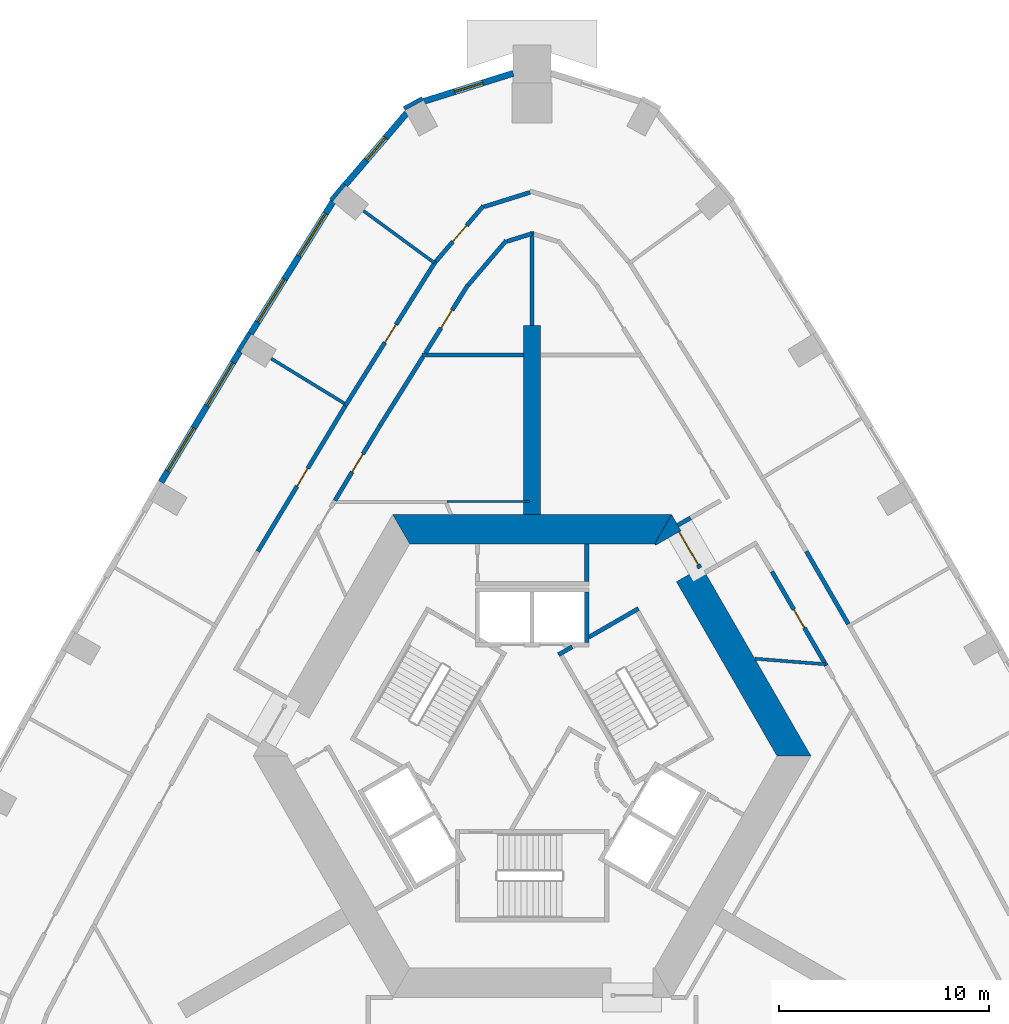
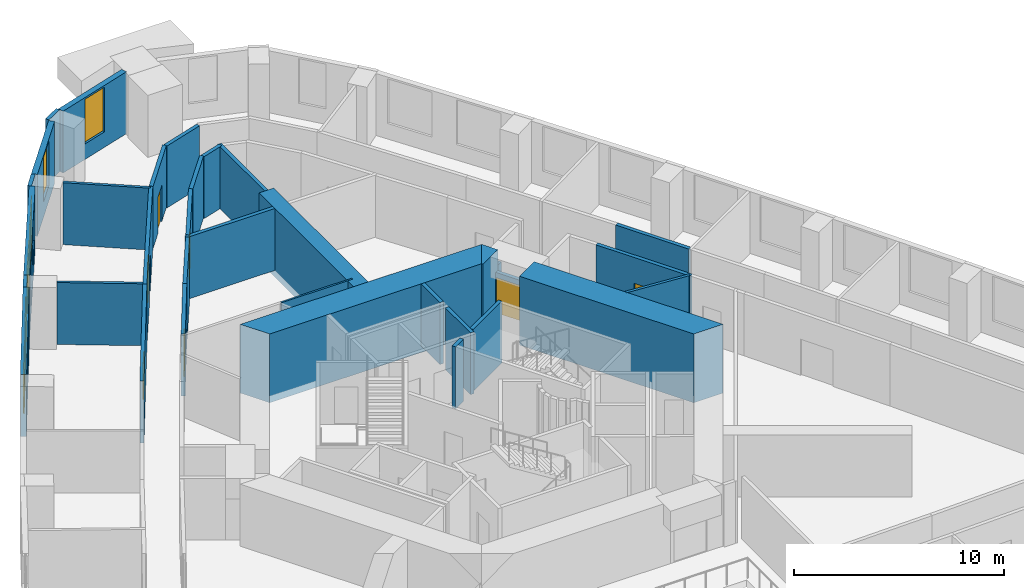
# One storey, part 8 of 13: 34 walls, 7 doors, 6 windows, 13 openings.
"""IFC4 building model written with IfcOpenShell, lengths in metres."""

from ifc_helpers import new_model, si_unit, direction, frame, frame_2d, origin, place, context, subcontext, project, spatial, polyline, rectangle, outline, extrude, material, layer, layer_set, type_object, element, fill, save


model = new_model("IFC4")

# Units and contexts
model_context = context("Model", 3, precision=1e-05, world=origin(), true_north=direction((0.0, 1.0)))
body_context = subcontext(model_context, "Body", "Model", "MODEL_VIEW")
ifc_project = project(units=[si_unit("LENGTHUNIT", "METRE"), si_unit("AREAUNIT", "SQUARE_METRE"), si_unit("VOLUMEUNIT", "CUBIC_METRE"), si_unit("PLANEANGLEUNIT", "RADIAN"), si_unit("MASSUNIT", "GRAM", prefix="KILO")], contexts=[model_context])

# Site, building, storey
site_placement = place(None, origin())
site = spatial("IfcSite", under=ifc_project, at=site_placement, CompositionType="ELEMENT")
building_placement = place(site_placement, origin())
building = spatial("IfcBuilding", under=site, at=building_placement, Name="Entoto Arch Interchange Tower", CompositionType="ELEMENT")
storey_placement = place(building_placement, frame((0.0, 0.0, 231.800048828125)))
storey = spatial("IfcBuildingStorey", under=building, at=storey_placement, Name="L52", CompositionType="ELEMENT", Elevation=231.800048828125)

# Wall
ifc_material_1 = material(Name="Concrete C50/60", Category="concrete")
ifc_layer_1 = layer(ifc_material_1, 0.800048828125)
ifc_layer_set_1 = layer_set([ifc_layer_1], Name="Concrete C50/60")
wall_type_1 = type_object("IfcWallType", Name="Buttress wall 800 C50/60", PredefinedType="SHEAR", material=ifc_layer_set_1)
wall_1_placement = place(storey_placement, frame((0.0, 14.0, -0.400146484375), z_axis=(0.0, 0.0, 1.0), x_axis=(0.0, 1.0, 0.0)))
element("IfcWall", 1, at=wall_1_placement, inside=storey, type_object=wall_type_1, Name="Buttress wall N L52", PredefinedType="SHEAR", context=body_context, shape_type="SweptSolid", body=[
    extrude(rectangle(XDim=9.0, YDim=0.800048828125, at=frame_2d((4.5, 0.0))), origin(), (0.0, 0.0, 1.0), 4.0),
])

# Wall, opening, door
ifc_material_2 = material(Name="Reinforced concrete C40/50", Category="concrete")
ifc_layer_2 = layer(ifc_material_2, 0.199951171875)
ifc_layer_set_2 = layer_set([ifc_layer_2], Name="Reinforced concrete C40/50")
wall_type_2 = type_object("IfcWallType", Name="CORE GAP INFILL WALL", PredefinedType="PARTITIONING", material=ifc_layer_set_2)
wall_2_placement = place(storey_placement, frame((7.9970703125, 11.447998046875, 0.0), z_axis=(0.0, 0.0, 1.0), x_axis=(-0.50002537861, 0.866010750942, 0.0)))
wall_2 = element("IfcWall", 2, at=wall_2_placement, inside=storey, type_object=wall_type_2, Name="wall:L52:gap2", PredefinedType="PARTITIONING", context=body_context, shape_type="SweptSolid", body=[
    extrude(rectangle(XDim=2.0, YDim=0.199951171875, at=frame_2d((1.0, 0.0))), origin(), (0.0, 0.0, 1.0), 2.39990234375),
])
opening_1_placement = place(wall_2_placement, frame((0.18994140625, 0.0, 0.0)))
opening_1 = element("IfcOpeningElement", 3, at=opening_1_placement, cuts=wall_2, Name="Opening L52-D92", PredefinedType="OPENING", context=body_context, shape_type="SweptSolid", body=[
    extrude(rectangle(XDim=1.800048828125, YDim=2.10009765625, at=frame_2d((0.89990234375, 1.050048828125))), frame((0.0, 0.10986328125, 0.0), z_axis=(0.0, -1.0, 0.0), x_axis=(1.0, 0.0, 0.0)), (0.0, 0.0, 1.0), 0.219970703125),
])
ifc_material_3 = material(Name="Fire-rated Steel S235 door and frame", Category="steel")
door_type_1 = type_object("IfcDoorType", Name="DOOR FD-18 1800x2100", OperationType="DOUBLE_DOOR_SINGLE_SWING", PredefinedType="DOOR", material=ifc_material_3)
door_1_placement = place(opening_1_placement, origin())
door_1 = element("IfcDoor", 4, at=door_1_placement, inside=storey, type_object=door_type_1, Name="door:L52:gap2", OperationType="DOUBLE_DOOR_SINGLE_SWING", OverallHeight=2.10009765625, OverallWidth=1.800048828125, PredefinedType="DOOR", context=body_context, shape_type="SweptSolid", body=[
    extrude(rectangle(XDim=1.800048828125, YDim=2.10009765625, at=frame_2d((0.89990234375, 1.050048828125))), frame((0.0, 0.02490234375, 0.0), z_axis=(0.0, -1.0, 0.0), x_axis=(1.0, 0.0, 0.0)), (0.0, 0.0, 1.0), 0.050048828125),
])
fill(opening_1, door_1)

# Walls
ifc_layer_3 = layer(ifc_material_1, 1.39990234375)
ifc_layer_set_3 = layer_set([ifc_layer_3], Name="Concrete C50/60")
wall_type_3 = type_object("IfcWallType", Name="Core wall 1400 C50/60", PredefinedType="SHEAR", material=ifc_layer_set_3)
wall_3_placement = place(storey_placement, frame((0.0, 0.0, -0.400146484375)))
element("IfcWall", 5, at=wall_3_placement, inside=storey, type_object=wall_type_3, Name="Core wall NE L52", PredefinedType="SHEAR", context=body_context, shape_type="SweptSolid", body=[
    extrude(outline(polyline([(8.083984375, 11.498046875), (6.87109375, 10.798095703125), (11.662109375, 2.5), (13.279052734375, 2.5), (8.083984375, 11.498046875)])), origin(), (0.0, 0.0, 1.0), 4.0),
])
wall_4_placement = place(storey_placement, frame((0.0, 0.0, -0.400146484375)))
element("IfcWall", 6, at=wall_4_placement, inside=storey, type_object=wall_type_3, Name="Core wall NE L52", PredefinedType="SHEAR", context=body_context, shape_type="SweptSolid", body=[
    extrude(outline(polyline([(5.87109375, 12.530029296875), (7.083984375, 13.22998046875), (6.639892578125, 14.0), (5.8310546875, 12.60009765625), (5.87109375, 12.530029296875)])), origin(), (0.0, 0.0, 1.0), 4.0),
])
wall_5_placement = place(storey_placement, frame((0.0, 0.0, -0.400146484375)))
element("IfcWall", 7, at=wall_5_placement, inside=storey, type_object=wall_type_3, Name="Core wall N L52", PredefinedType="SHEAR", context=body_context, shape_type="SweptSolid", body=[
    extrude(outline(polyline([(6.639892578125, 14.0), (-6.639892578125, 14.0), (-5.8310546875, 12.60009765625), (5.8310546875, 12.60009765625), (6.639892578125, 14.0)])), origin(), (0.0, 0.0, 1.0), 4.0),
])
ifc_material_4 = material(Name="Concrete C40/50", Category="concrete")
ifc_layer_4 = layer(ifc_material_4, 0.199951171875)
ifc_layer_set_4 = layer_set([ifc_layer_4], Name="Concrete C40/50")
wall_type_4 = type_object("IfcWallType", Name="LIFT SHAFT WALL 200", PredefinedType="STANDARD", material=ifc_layer_set_4)
wall_6_placement = place(storey_placement, frame((2.60009765625, 7.89990234375, 0.0), z_axis=(0.0, 0.0, 1.0), x_axis=(0.0, 1.0, 0.0)))
element("IfcWall", 8, at=wall_6_placement, inside=storey, type_object=wall_type_4, Name="Shaft wall N1 cross 1", PredefinedType="STANDARD", context=body_context, shape_type="SweptSolid", body=[
    extrude(rectangle(XDim=2.400146484375, YDim=0.199951171875, at=frame_2d((1.2001953125, 0.0))), origin(), (0.0, 0.0, 1.0), 3.599853515625),
])
ifc_material_5 = material(Name="Gypsum board partition on steel studs", Category="steel")
ifc_layer_5 = layer(ifc_material_5, 0.10009765625)
ifc_layer_set_5 = layer_set([ifc_layer_5], Name="Gypsum board partition on steel studs")
wall_type_5 = type_object("IfcWallType", Name="PARTITION 100", PredefinedType="PARTITIONING", material=ifc_layer_set_5)
wall_7_placement = place(storey_placement, frame((-4.047119140625, 14.612060546875, 0.0), z_axis=(0.0, 0.0, 1.0), x_axis=(1.0, 0.0, 0.0)))
element("IfcWall", 9, at=wall_7_placement, inside=storey, type_object=wall_type_5, Name="wall:L52:p104", PredefinedType="PARTITIONING", context=body_context, shape_type="SweptSolid", body=[
    extrude(rectangle(XDim=3.924072265625, YDim=0.10009765625, at=frame_2d((1.9619140625, 0.0))), origin(), (0.0, 0.0, 1.0), 3.599853515625),
])
ifc_layer_6 = layer(ifc_material_5, 0.14990234375)
ifc_layer_set_6 = layer_set([ifc_layer_6], Name="Gypsum board partition on steel studs")
wall_type_6 = type_object("IfcWallType", Name="PARTITION 150", PredefinedType="PARTITIONING", material=ifc_layer_set_6)
wall_8_placement = place(storey_placement, frame((10.60400390625, 7.135009765625, 0.0), z_axis=(0.0, 0.0, 1.0), x_axis=(0.996887536909, -0.07883678555, 0.0)))
element("IfcWall", 10, at=wall_8_placement, inside=storey, type_object=wall_type_6, Name="wall:L52:p083", PredefinedType="PARTITIONING", context=body_context, shape_type="SweptSolid", body=[
    extrude(rectangle(XDim=3.37548828125, YDim=0.14990234375, at=frame_2d((1.687744140625, 0.0))), origin(), (0.0, 0.0, 1.0), 3.599853515625),
])
wall_9_placement = place(storey_placement, frame((-4.64599609375, 25.97607421875, 0.0), z_axis=(0.0, 0.0, 1.0), x_axis=(-0.806134630684, 0.591732166788, 0.0)))
element("IfcWall", 11, at=wall_9_placement, inside=storey, type_object=wall_type_6, Name="wall:L52:p121", PredefinedType="PARTITIONING", context=body_context, shape_type="SweptSolid", body=[
    extrude(rectangle(XDim=4.192626953125, YDim=0.14990234375, at=frame_2d((2.09619140625, 0.0))), origin(), (0.0, 0.0, 1.0), 3.599853515625),
])
wall_10_placement = place(storey_placement, frame((-8.94189453125, 19.2919921875, 0.0), z_axis=(0.0, 0.0, 1.0), x_axis=(-0.85273109234, 0.522350154739, 0.0)))
element("IfcWall", 12, at=wall_10_placement, inside=storey, type_object=wall_type_6, Name="wall:L52:p122", PredefinedType="PARTITIONING", context=body_context, shape_type="SweptSolid", body=[
    extrude(rectangle(XDim=4.079833984375, YDim=0.14990234375, at=frame_2d((2.0400390625, 0.0))), origin(), (0.0, 0.0, 1.0), 3.599853515625),
])

# Wall, opening, door
ifc_layer_7 = layer(ifc_material_5, 0.199951171875)
ifc_layer_set_7 = layer_set([ifc_layer_7], Name="Gypsum board partition on steel studs")
wall_type_7 = type_object("IfcWallType", Name="PARTITION 200", PredefinedType="PARTITIONING", material=ifc_layer_set_7)
wall_11_placement = place(storey_placement, frame((14.006103515625, 6.803955078125, 0.0), z_axis=(0.0, 0.0, 1.0), x_axis=(-0.500032993936, 0.866006353889, 0.0)))
wall_11 = element("IfcWall", 13, at=wall_11_placement, inside=storey, type_object=wall_type_7, Name="wall:L52:p006", PredefinedType="PARTITIONING", context=body_context, shape_type="SweptSolid", body=[
    extrude(rectangle(XDim=5.172119140625, YDim=0.199951171875, at=frame_2d((2.5859375, 0.0))), origin(), (0.0, 0.0, 1.0), 3.599853515625),
])
opening_2_placement = place(wall_11_placement, frame((2.0859375, 0.0, 0.0)))
opening_2 = element("IfcOpeningElement", 14, at=opening_2_placement, cuts=wall_11, Name="Opening L52-D26", PredefinedType="OPENING", context=body_context, shape_type="SweptSolid", body=[
    extrude(rectangle(XDim=1.0, YDim=2.10009765625, at=frame_2d((0.5, 1.050048828125))), frame((0.0, 0.10986328125, 0.0), z_axis=(0.0, -1.0, 0.0), x_axis=(1.0, 0.0, 0.0)), (0.0, 0.0, 1.0), 0.219970703125),
])
ifc_material_6 = material(Name="Timber door leaf in Steel S235 frame", Category="steel")
door_type_2 = type_object("IfcDoorType", Name="DOOR DS-10 1000x2100", OperationType="SINGLE_SWING_LEFT", PredefinedType="DOOR", material=ifc_material_6)
door_2_placement = place(opening_2_placement, origin())
door_2 = element("IfcDoor", 15, at=door_2_placement, inside=storey, type_object=door_type_2, Name="door:L52:26", OperationType="SINGLE_SWING_LEFT", OverallHeight=2.10009765625, OverallWidth=1.0, PredefinedType="DOOR", context=body_context, shape_type="SweptSolid", body=[
    extrude(rectangle(XDim=1.0, YDim=2.10009765625, at=frame_2d((0.5, 1.050048828125))), frame((0.0, 0.02490234375, 0.0), z_axis=(0.0, -1.0, 0.0), x_axis=(1.0, 0.0, 0.0)), (0.0, 0.0, 1.0), 0.050048828125),
])
fill(opening_2, door_2)

# Walls
wall_12_placement = place(storey_placement, frame((6.93505859375, 13.488037109375, 0.0), z_axis=(0.0, 0.0, 1.0), x_axis=(0.866022890907, 0.500004352405, 0.0)))
element("IfcWall", 16, at=wall_12_placement, inside=storey, type_object=wall_type_7, Name="wall:L52:p009", PredefinedType="PARTITIONING", context=body_context, shape_type="SweptSolid", body=[
    extrude(rectangle(XDim=0.69970703125, YDim=0.199951171875, at=frame_2d((0.349853515625, 0.0))), origin(), (0.0, 0.0, 1.0), 2.39990234375),
])
wall_13_placement = place(storey_placement, frame((-5.193115234375, 21.514892578125, 0.0), z_axis=(0.0, 0.0, 1.0), x_axis=(-0.530175390862, -0.847887996686, 0.0)))
element("IfcWall", 17, at=wall_13_placement, inside=storey, type_object=wall_type_7, Name="wall:L52:p012", PredefinedType="PARTITIONING", context=body_context, shape_type="SweptSolid", body=[
    extrude(rectangle(XDim=3.855224609375, YDim=0.199951171875, at=frame_2d((1.927734375, 0.0))), origin(), (0.0, 0.0, 1.0), 3.599853515625),
])

# Wall, opening, door
wall_14_placement = place(storey_placement, frame((-7.237060546875, 18.24609375, 0.0), z_axis=(0.0, 0.0, 1.0), x_axis=(-0.514959644878, -0.857214421336, 0.0)))
wall_14 = element("IfcWall", 18, at=wall_14_placement, inside=storey, type_object=wall_type_7, Name="wall:L52:p013", PredefinedType="PARTITIONING", context=body_context, shape_type="SweptSolid", body=[
    extrude(rectangle(XDim=4.1787109375, YDim=0.199951171875, at=frame_2d((2.08935546875, 0.0))), origin(), (0.0, 0.0, 1.0), 3.599853515625),
])
opening_3_placement = place(wall_14_placement, frame((1.589111328125, 0.0, 0.0)))
opening_3 = element("IfcOpeningElement", 19, at=opening_3_placement, cuts=wall_14, Name="Opening L52-D17", PredefinedType="OPENING", context=body_context, shape_type="SweptSolid", body=[
    extrude(rectangle(XDim=1.0, YDim=2.10009765625, at=frame_2d((0.5, 1.050048828125))), frame((0.0, 0.10986328125, 0.0), z_axis=(0.0, -1.0, 0.0), x_axis=(1.0, 0.0, 0.0)), (0.0, 0.0, 1.0), 0.219970703125),
])
door_3_placement = place(opening_3_placement, origin())
door_3 = element("IfcDoor", 20, at=door_3_placement, inside=storey, type_object=door_type_2, Name="door:L52:17", OperationType="SINGLE_SWING_LEFT", OverallHeight=2.10009765625, OverallWidth=1.0, PredefinedType="DOOR", context=body_context, shape_type="SweptSolid", body=[
    extrude(rectangle(XDim=1.0, YDim=2.10009765625, at=frame_2d((0.5, 1.050048828125))), frame((0.0, 0.02490234375, 0.0), z_axis=(0.0, -1.0, 0.0), x_axis=(1.0, 0.0, 0.0)), (0.0, 0.0, 1.0), 0.050048828125),
])
fill(opening_3, door_3)

# Walls
wall_15_placement = place(storey_placement, frame((0.0, 27.37890625, 0.0), z_axis=(0.0, 0.0, 1.0), x_axis=(-0.954198830916, -0.299173179075, 0.0)))
element("IfcWall", 21, at=wall_15_placement, inside=storey, type_object=wall_type_7, Name="wall:L52:p017", PredefinedType="PARTITIONING", context=body_context, shape_type="SweptSolid", body=[
    extrude(rectangle(XDim=1.25341796875, YDim=0.199951171875, at=frame_2d((0.626708984375, 0.0))), origin(), (0.0, 0.0, 1.0), 3.599853515625),
])
wall_16_placement = place(storey_placement, frame((-1.22705078125, 27.050048828125, 0.0), z_axis=(0.0, 0.0, 1.0), x_axis=(-0.650057725157, -0.759884829407, 0.0)))
element("IfcWall", 22, at=wall_16_placement, inside=storey, type_object=wall_type_7, Name="wall:L52:p018", PredefinedType="PARTITIONING", context=body_context, shape_type="SweptSolid", body=[
    extrude(rectangle(XDim=2.79638671875, YDim=0.199951171875, at=frame_2d((1.398193359375, 0.0))), origin(), (0.0, 0.0, 1.0), 3.599853515625),
])

# Wall, opening, door
wall_17_placement = place(storey_placement, frame((-3.056884765625, 24.93310546875, 0.0), z_axis=(0.0, 0.0, 1.0), x_axis=(-0.529998940003, -0.847998304005, 0.0)))
wall_17 = element("IfcWall", 23, at=wall_17_placement, inside=storey, type_object=wall_type_7, Name="wall:L52:p019", PredefinedType="PARTITIONING", context=body_context, shape_type="SweptSolid", body=[
    extrude(rectangle(XDim=3.830322265625, YDim=0.199951171875, at=frame_2d((1.9150390625, 0.0))), origin(), (0.0, 0.0, 1.0), 3.599853515625),
])
opening_4_placement = place(wall_17_placement, frame((1.416015625, 0.0, 0.0)))
opening_4 = element("IfcOpeningElement", 24, at=opening_4_placement, cuts=wall_17, Name="Opening L52-D19", PredefinedType="OPENING", context=body_context, shape_type="SweptSolid", body=[
    extrude(rectangle(XDim=1.0, YDim=2.10009765625, at=frame_2d((0.5, 1.050048828125))), frame((0.0, 0.10986328125, 0.0), z_axis=(0.0, -1.0, 0.0), x_axis=(1.0, 0.0, 0.0)), (0.0, 0.0, 1.0), 0.219970703125),
])
door_4_placement = place(opening_4_placement, origin())
door_4 = element("IfcDoor", 25, at=door_4_placement, inside=storey, type_object=door_type_2, Name="door:L52:19", OperationType="SINGLE_SWING_LEFT", OverallHeight=2.10009765625, OverallWidth=1.0, PredefinedType="DOOR", context=body_context, shape_type="SweptSolid", body=[
    extrude(rectangle(XDim=1.0, YDim=2.10009765625, at=frame_2d((0.5, 1.050048828125))), frame((0.0, 0.02490234375, 0.0), z_axis=(0.0, -1.0, 0.0), x_axis=(1.0, 0.0, 0.0)), (0.0, 0.0, 1.0), 0.050048828125),
])
fill(opening_4, door_4)

# Wall
wall_18_placement = place(storey_placement, frame((13.056884765625, 12.2470703125, 0.0), z_axis=(0.0, 0.0, 1.0), x_axis=(0.500093699572, -0.865971299552, 0.0)))
element("IfcWall", 26, at=wall_18_placement, inside=storey, type_object=wall_type_7, Name="wall:L52:p051", PredefinedType="PARTITIONING", context=body_context, shape_type="SweptSolid", body=[
    extrude(rectangle(XDim=4.003662109375, YDim=0.199951171875, at=frame_2d((2.001953125, 0.0))), origin(), (0.0, 0.0, 1.0), 3.599853515625),
])

# Wall, opening, door
wall_19_placement = place(storey_placement, frame((-4.5810546875, 26.052001953125, 0.0), z_axis=(0.0, 0.0, 1.0), x_axis=(0.650040973726, 0.759899159413, 0.0)))
wall_19 = element("IfcWall", 27, at=wall_19_placement, inside=storey, type_object=wall_type_7, Name="wall:L52:p054", PredefinedType="PARTITIONING", context=body_context, shape_type="SweptSolid", body=[
    extrude(rectangle(XDim=3.484619140625, YDim=0.199951171875, at=frame_2d((1.7421875, 0.0))), origin(), (0.0, 0.0, 1.0), 3.599853515625),
])
opening_5_placement = place(wall_19_placement, frame((1.242919921875, 0.0, 0.0)))
opening_5 = element("IfcOpeningElement", 28, at=opening_5_placement, cuts=wall_19, Name="Opening L52-D08", PredefinedType="OPENING", context=body_context, shape_type="SweptSolid", body=[
    extrude(rectangle(XDim=1.0, YDim=2.10009765625, at=frame_2d((0.5, 1.050048828125))), frame((0.0, 0.10986328125, 0.0), z_axis=(0.0, -1.0, 0.0), x_axis=(1.0, 0.0, 0.0)), (0.0, 0.0, 1.0), 0.219970703125),
])
door_5_placement = place(opening_5_placement, origin())
door_5 = element("IfcDoor", 29, at=door_5_placement, inside=storey, type_object=door_type_2, Name="door:L52:08", OperationType="SINGLE_SWING_LEFT", OverallHeight=2.10009765625, OverallWidth=1.0, PredefinedType="DOOR", context=body_context, shape_type="SweptSolid", body=[
    extrude(rectangle(XDim=1.0, YDim=2.10009765625, at=frame_2d((0.5, 1.050048828125))), frame((0.0, 0.02490234375, 0.0), z_axis=(0.0, -1.0, 0.0), x_axis=(1.0, 0.0, 0.0)), (0.0, 0.0, 1.0), 0.050048828125),
])
fill(opening_5, door_5)

# Wall
wall_20_placement = place(storey_placement, frame((-2.284912109375, 28.654052734375, 0.0), z_axis=(0.0, 0.0, 1.0), x_axis=(0.954271519007, 0.298941245085, 0.0)))
element("IfcWall", 30, at=wall_20_placement, inside=storey, type_object=wall_type_7, Name="wall:L52:p055", PredefinedType="PARTITIONING", context=body_context, shape_type="SweptSolid", body=[
    extrude(rectangle(XDim=2.294921875, YDim=0.199951171875, at=frame_2d((1.1474609375, 0.0))), origin(), (0.0, 0.0, 1.0), 3.599853515625),
])

# Wall, opening, door
wall_21_placement = place(storey_placement, frame((-8.89599609375, 19.176025390625, 0.0), z_axis=(0.0, 0.0, 1.0), x_axis=(0.529985425286, 0.848006750553, 0.0)))
wall_21 = element("IfcWall", 31, at=wall_21_placement, inside=storey, type_object=wall_type_7, Name="wall:L52:p058", PredefinedType="PARTITIONING", context=body_context, shape_type="SweptSolid", body=[
    extrude(rectangle(XDim=8.119140625, YDim=0.199951171875, at=frame_2d((4.0595703125, 0.0))), origin(), (0.0, 0.0, 1.0), 3.599853515625),
])
opening_6_placement = place(wall_21_placement, frame((3.56005859375, 0.0, 0.0)))
opening_6 = element("IfcOpeningElement", 32, at=opening_6_placement, cuts=wall_21, Name="Opening L52-D09", PredefinedType="OPENING", context=body_context, shape_type="SweptSolid", body=[
    extrude(rectangle(XDim=1.0, YDim=2.10009765625, at=frame_2d((0.5, 1.050048828125))), frame((0.0, 0.10986328125, 0.0), z_axis=(0.0, -1.0, 0.0), x_axis=(1.0, 0.0, 0.0)), (0.0, 0.0, 1.0), 0.219970703125),
])
door_6_placement = place(opening_6_placement, origin())
door_6 = element("IfcDoor", 33, at=door_6_placement, inside=storey, type_object=door_type_2, Name="door:L52:09", OperationType="SINGLE_SWING_LEFT", OverallHeight=2.10009765625, OverallWidth=1.0, PredefinedType="DOOR", context=body_context, shape_type="SweptSolid", body=[
    extrude(rectangle(XDim=1.0, YDim=2.10009765625, at=frame_2d((0.5, 1.050048828125))), frame((0.0, 0.02490234375, 0.0), z_axis=(0.0, -1.0, 0.0), x_axis=(1.0, 0.0, 0.0)), (0.0, 0.0, 1.0), 0.050048828125),
])
fill(opening_6, door_6)

wall_22_placement = place(storey_placement, frame((-13.056884765625, 12.2470703125, 0.0), z_axis=(0.0, 0.0, 1.0), x_axis=(0.51490435266, 0.857247634941, 0.0)))
wall_22 = element("IfcWall", 34, at=wall_22_placement, inside=storey, type_object=wall_type_7, Name="wall:L52:p060", PredefinedType="PARTITIONING", context=body_context, shape_type="SweptSolid", body=[
    extrude(rectangle(XDim=8.082763671875, YDim=0.199951171875, at=frame_2d((4.04150390625, 0.0))), origin(), (0.0, 0.0, 1.0), 3.599853515625),
])
opening_7_placement = place(wall_22_placement, frame((3.615966796875, 0.0, 0.0)))
opening_7 = element("IfcOpeningElement", 35, at=opening_7_placement, cuts=wall_22, Name="Opening L52-D10", PredefinedType="OPENING", context=body_context, shape_type="SweptSolid", body=[
    extrude(rectangle(XDim=1.0, YDim=2.10009765625, at=frame_2d((0.5, 1.050048828125))), frame((0.0, 0.10986328125, 0.0), z_axis=(0.0, -1.0, 0.0), x_axis=(1.0, 0.0, 0.0)), (0.0, 0.0, 1.0), 0.219970703125),
])
door_7_placement = place(opening_7_placement, origin())
door_7 = element("IfcDoor", 36, at=door_7_placement, inside=storey, type_object=door_type_2, Name="door:L52:10", OperationType="SINGLE_SWING_RIGHT", OverallHeight=2.10009765625, OverallWidth=1.0, PredefinedType="DOOR", context=body_context, shape_type="SweptSolid", body=[
    extrude(rectangle(XDim=1.0, YDim=2.10009765625, at=frame_2d((0.5, 1.050048828125))), frame((0.0, 0.02490234375, 0.0), z_axis=(0.0, -1.0, 0.0), x_axis=(1.0, 0.0, 0.0)), (0.0, 0.0, 1.0), 0.050048828125),
])
fill(opening_7, door_7)

# Walls
wall_23_placement = place(storey_placement, frame((2.60009765625, 12.60009765625, 0.0), z_axis=(0.0, 0.0, 1.0), x_axis=(0.0, -1.0, 0.0)))
element("IfcWall", 37, at=wall_23_placement, inside=storey, type_object=wall_type_7, Name="wall:L52:p072", PredefinedType="PARTITIONING", context=body_context, shape_type="SweptSolid", body=[
    extrude(rectangle(XDim=1.800048828125, YDim=0.199951171875, at=frame_2d((0.89990234375, 0.0))), origin(), (0.0, 0.0, 1.0), 3.599853515625),
])
wall_24_placement = place(storey_placement, frame((-5.239990234375, 21.60009765625, 0.0), z_axis=(0.0, 0.0, 1.0), x_axis=(1.0, 0.0, 0.0)))
element("IfcWall", 38, at=wall_24_placement, inside=storey, type_object=wall_type_7, Name="wall:L52:p107", PredefinedType="PARTITIONING", context=body_context, shape_type="SweptSolid", body=[
    extrude(rectangle(XDim=4.840087890625, YDim=0.199951171875, at=frame_2d((2.419921875, 0.0))), origin(), (0.0, 0.0, 1.0), 3.599853515625),
])
wall_25_placement = place(storey_placement, frame((0.0, 23.0, 0.0), z_axis=(0.0, 0.0, 1.0), x_axis=(0.0, 1.0, 0.0)))
element("IfcWall", 39, at=wall_25_placement, inside=storey, type_object=wall_type_7, Name="wall:L52:p108", PredefinedType="PARTITIONING", context=body_context, shape_type="SweptSolid", body=[
    extrude(rectangle(XDim=4.47900390625, YDim=0.199951171875, at=frame_2d((2.239501953125, 0.0))), origin(), (0.0, 0.0, 1.0), 3.599853515625),
])
ifc_layer_8 = layer(ifc_material_4, 0.199951171875)
ifc_layer_set_8 = layer_set([ifc_layer_8], Name="Concrete C40/50")
wall_type_8 = type_object("IfcWallType", Name="STAIR ENCLOSURE WALL 200", PredefinedType="STANDARD", material=ifc_layer_set_8)
wall_26_placement = place(storey_placement, frame((2.699951171875, 8.157958984375, 0.0), z_axis=(0.0, 0.0, 1.0), x_axis=(0.86611865017, 0.499838457731, 0.0)))
element("IfcWall", 40, at=wall_26_placement, inside=storey, type_object=wall_type_8, Name="Stair wall ST-NE far", PredefinedType="STANDARD", context=body_context, shape_type="SweptSolid", body=[
    extrude(rectangle(XDim=2.73291015625, YDim=0.199951171875, at=frame_2d((1.366455078125, 0.0))), origin(), (0.0, 0.0, 1.0), 3.599853515625),
])
wall_27_placement = place(storey_placement, frame((1.256103515625, 7.323974609375, 0.0), z_axis=(0.0, 0.0, 1.0), x_axis=(0.865915093549, 0.500191014278, 0.0)))
element("IfcWall", 41, at=wall_27_placement, inside=storey, type_object=wall_type_8, Name="Stair wall ST-NE far return", PredefinedType="STANDARD", context=body_context, shape_type="SweptSolid", body=[
    extrude(rectangle(XDim=0.751708984375, YDim=0.199951171875, at=frame_2d((0.3759765625, 0.0))), origin(), (0.0, 0.0, 1.0), 3.599853515625),
])

# Wall, opening, window
ifc_material_7 = material(Name="Welded tuff (ignimbrite) cladding, warm buff", Category="masonry")
ifc_layer_9 = layer(ifc_material_7, 0.300048828125)
ifc_layer_set_9 = layer_set([ifc_layer_9], Name="Welded tuff (ignimbrite) cladding, warm buff")
wall_type_9 = type_object("IfcWallType", Name="STONE INFILL WALL 300", PredefinedType="STANDARD", material=ifc_layer_set_9)
wall_28_placement = place(storey_placement, frame((-0.89892578125, 35.009033203125, 0.0), z_axis=(0.0, 0.0, 1.0), x_axis=(-0.95429628924, -0.298862162783, 0.0)))
wall_28 = element("IfcWall", 42, at=wall_28_placement, inside=storey, type_object=wall_type_9, Name="Facade wall N-03 L52", PredefinedType="STANDARD", context=body_context, shape_type="SweptSolid", body=[
    extrude(rectangle(XDim=4.450439453125, YDim=0.300048828125, at=frame_2d((2.22509765625, 0.0))), origin(), (0.0, 0.0, 1.0), 3.599853515625),
])
opening_8_placement = place(wall_28_placement, frame((1.52490234375, 0.0, 0.89990234375)))
opening_8 = element("IfcOpeningElement", 43, at=opening_8_placement, cuts=wall_28, Name="Opening WO-B", PredefinedType="OPENING", context=body_context, shape_type="SweptSolid", body=[
    extrude(rectangle(XDim=1.39990234375, YDim=2.60009765625, at=frame_2d((0.699951171875, 1.300048828125))), frame((0.0, 0.16015625, 0.0), z_axis=(0.0, -1.0, 0.0), x_axis=(1.0, 0.0, 0.0)), (0.0, 0.0, 1.0), 0.320068359375),
])
ifc_material_8 = material(Name="Clear glass, low-e double glazed", Category="glass")
window_type_1 = type_object("IfcWindowType", Name="WINDOW WO-B 1400x2600", PartitioningType="DOUBLE_PANEL_VERTICAL", PredefinedType="WINDOW", material=ifc_material_8)
window_1_placement = place(opening_8_placement, origin())
window_1 = element("IfcWindow", 44, at=window_1_placement, inside=storey, type_object=window_type_1, Name="Window WO-B N-03 L52", OverallHeight=2.60009765625, OverallWidth=1.39990234375, PartitioningType="SINGLE_PANEL", PredefinedType="WINDOW", context=body_context, shape_type="SweptSolid", body=[
    extrude(rectangle(XDim=1.39990234375, YDim=2.60009765625, at=frame_2d((0.699951171875, 1.300048828125))), frame((0.0, 0.030029296875, 0.0), z_axis=(0.0, -1.0, 0.0), x_axis=(1.0, 0.0, 0.0)), (0.0, 0.0, 1.0), 0.06005859375),
])
fill(opening_8, window_1)

wall_29_placement = place(storey_placement, frame((-5.97509765625, 33.114013671875, 0.0), z_axis=(0.0, 0.0, 1.0), x_axis=(-0.649967502437, -0.75996200285, 0.0)))
wall_29 = element("IfcWall", 45, at=wall_29_placement, inside=storey, type_object=wall_type_9, Name="Facade wall N-04 L52", PredefinedType="STANDARD", context=body_context, shape_type="SweptSolid", body=[
    extrude(rectangle(XDim=4.492431640625, YDim=0.300048828125, at=frame_2d((2.24609375, 0.0))), origin(), (0.0, 0.0, 1.0), 3.599853515625),
])
opening_9_placement = place(wall_29_placement, frame((1.5458984375, 0.0, 0.89990234375)))
opening_9 = element("IfcOpeningElement", 46, at=opening_9_placement, cuts=wall_29, Name="Opening WO-B", PredefinedType="OPENING", context=body_context, shape_type="SweptSolid", body=[
    extrude(rectangle(XDim=1.39990234375, YDim=2.60009765625, at=frame_2d((0.699951171875, 1.300048828125))), frame((0.0, 0.16015625, 0.0), z_axis=(0.0, -1.0, 0.0), x_axis=(1.0, 0.0, 0.0)), (0.0, 0.0, 1.0), 0.320068359375),
])
window_2_placement = place(opening_9_placement, origin())
window_2 = element("IfcWindow", 47, at=window_2_placement, inside=storey, type_object=window_type_1, Name="Window WO-B N-04 L52", OverallHeight=2.60009765625, OverallWidth=1.39990234375, PartitioningType="SINGLE_PANEL", PredefinedType="WINDOW", context=body_context, shape_type="SweptSolid", body=[
    extrude(rectangle(XDim=1.39990234375, YDim=2.60009765625, at=frame_2d((0.699951171875, 1.300048828125))), frame((0.0, 0.030029296875, 0.0), z_axis=(0.0, -1.0, 0.0), x_axis=(1.0, 0.0, 0.0)), (0.0, 0.0, 1.0), 0.06005859375),
])
fill(opening_9, window_2)

# Wall, openings, windows
wall_30_placement = place(storey_placement, frame((-9.485107421875, 28.89306640625, 0.0), z_axis=(0.0, 0.0, 1.0), x_axis=(-0.530037467052, -0.847974223383, 0.0)))
wall_30 = element("IfcWall", 48, at=wall_30_placement, inside=storey, type_object=wall_type_9, Name="Facade wall NW-01 L52", PredefinedType="STANDARD", context=body_context, shape_type="SweptSolid", body=[
    extrude(rectangle(XDim=7.40478515625, YDim=0.300048828125, at=frame_2d((3.702392578125, 0.0))), origin(), (0.0, 0.0, 1.0), 3.599853515625),
])
opening_10_placement = place(wall_30_placement, frame((0.65087890625, 0.0, 0.89990234375)))
opening_10 = element("IfcOpeningElement", 49, at=opening_10_placement, cuts=wall_30, Name="Opening WO-A", PredefinedType="OPENING", context=body_context, shape_type="SweptSolid", body=[
    extrude(rectangle(XDim=2.39990234375, YDim=2.60009765625, at=frame_2d((1.199951171875, 1.300048828125))), frame((0.0, 0.16015625, 0.0), z_axis=(0.0, -1.0, 0.0), x_axis=(1.0, 0.0, 0.0)), (0.0, 0.0, 1.0), 0.320068359375),
])
opening_11_placement = place(wall_30_placement, frame((4.35400390625, 0.0, 0.89990234375)))
opening_11 = element("IfcOpeningElement", 50, at=opening_11_placement, cuts=wall_30, Name="Opening WO-A", PredefinedType="OPENING", context=body_context, shape_type="SweptSolid", body=[
    extrude(rectangle(XDim=2.39990234375, YDim=2.60009765625, at=frame_2d((1.199951171875, 1.300048828125))), frame((0.0, 0.16015625, 0.0), z_axis=(0.0, -1.0, 0.0), x_axis=(1.0, 0.0, 0.0)), (0.0, 0.0, 1.0), 0.320068359375),
])
window_type_2 = type_object("IfcWindowType", Name="WINDOW WO-A 2400x2600", PartitioningType="DOUBLE_PANEL_VERTICAL", PredefinedType="WINDOW", material=ifc_material_8)
window_3_placement = place(opening_10_placement, origin())
window_3 = element("IfcWindow", 51, at=window_3_placement, inside=storey, type_object=window_type_2, Name="Window WO-A NW-01 L52", OverallHeight=2.60009765625, OverallWidth=2.39990234375, PartitioningType="SINGLE_PANEL", PredefinedType="WINDOW", context=body_context, shape_type="SweptSolid", body=[
    extrude(rectangle(XDim=2.39990234375, YDim=2.60009765625, at=frame_2d((1.199951171875, 1.300048828125))), frame((0.0, 0.030029296875, 0.0), z_axis=(0.0, -1.0, 0.0), x_axis=(1.0, 0.0, 0.0)), (0.0, 0.0, 1.0), 0.06005859375),
])
fill(opening_10, window_3)
window_4_placement = place(opening_11_placement, origin())
window_4 = element("IfcWindow", 52, at=window_4_placement, inside=storey, type_object=window_type_2, Name="Window WO-A NW-01 L52", OverallHeight=2.60009765625, OverallWidth=2.39990234375, PartitioningType="SINGLE_PANEL", PredefinedType="WINDOW", context=body_context, shape_type="SweptSolid", body=[
    extrude(rectangle(XDim=2.39990234375, YDim=2.60009765625, at=frame_2d((1.199951171875, 1.300048828125))), frame((0.0, 0.030029296875, 0.0), z_axis=(0.0, -1.0, 0.0), x_axis=(1.0, 0.0, 0.0)), (0.0, 0.0, 1.0), 0.06005859375),
])
fill(opening_11, window_4)

wall_31_placement = place(storey_placement, frame((-13.930908203125, 21.762939453125, 0.0), z_axis=(0.0, 0.0, 1.0), x_axis=(-0.515049705348, -0.857160312323, 0.0)))
wall_31 = element("IfcWall", 53, at=wall_31_placement, inside=storey, type_object=wall_type_9, Name="Facade wall NW-02 L52", PredefinedType="STANDARD", context=body_context, shape_type="SweptSolid", body=[
    extrude(rectangle(XDim=7.257568359375, YDim=0.300048828125, at=frame_2d((3.62890625, 0.0))), origin(), (0.0, 0.0, 1.0), 3.599853515625),
])
opening_12_placement = place(wall_31_placement, frame((0.614013671875, 0.0, 0.89990234375)))
opening_12 = element("IfcOpeningElement", 54, at=opening_12_placement, cuts=wall_31, Name="Opening WO-A", PredefinedType="OPENING", context=body_context, shape_type="SweptSolid", body=[
    extrude(rectangle(XDim=2.39990234375, YDim=2.60009765625, at=frame_2d((1.199951171875, 1.300048828125))), frame((0.0, 0.16015625, 0.0), z_axis=(0.0, -1.0, 0.0), x_axis=(1.0, 0.0, 0.0)), (0.0, 0.0, 1.0), 0.320068359375),
])
opening_13_placement = place(wall_31_placement, frame((4.242919921875, 0.0, 0.89990234375)))
opening_13 = element("IfcOpeningElement", 55, at=opening_13_placement, cuts=wall_31, Name="Opening WO-A", PredefinedType="OPENING", context=body_context, shape_type="SweptSolid", body=[
    extrude(rectangle(XDim=2.39990234375, YDim=2.60009765625, at=frame_2d((1.199951171875, 1.300048828125))), frame((0.0, 0.16015625, 0.0), z_axis=(0.0, -1.0, 0.0), x_axis=(1.0, 0.0, 0.0)), (0.0, 0.0, 1.0), 0.320068359375),
])
window_5_placement = place(opening_12_placement, origin())
window_5 = element("IfcWindow", 56, at=window_5_placement, inside=storey, type_object=window_type_2, Name="Window WO-A NW-02 L52", OverallHeight=2.60009765625, OverallWidth=2.39990234375, PartitioningType="SINGLE_PANEL", PredefinedType="WINDOW", context=body_context, shape_type="SweptSolid", body=[
    extrude(rectangle(XDim=2.39990234375, YDim=2.60009765625, at=frame_2d((1.199951171875, 1.300048828125))), frame((0.0, 0.030029296875, 0.0), z_axis=(0.0, -1.0, 0.0), x_axis=(1.0, 0.0, 0.0)), (0.0, 0.0, 1.0), 0.06005859375),
])
fill(opening_12, window_5)
window_6_placement = place(opening_13_placement, origin())
window_6 = element("IfcWindow", 57, at=window_6_placement, inside=storey, type_object=window_type_2, Name="Window WO-A NW-02 L52", OverallHeight=2.60009765625, OverallWidth=2.39990234375, PartitioningType="SINGLE_PANEL", PredefinedType="WINDOW", context=body_context, shape_type="SweptSolid", body=[
    extrude(rectangle(XDim=2.39990234375, YDim=2.60009765625, at=frame_2d((1.199951171875, 1.300048828125))), frame((0.0, 0.030029296875, 0.0), z_axis=(0.0, -1.0, 0.0), x_axis=(1.0, 0.0, 0.0)), (0.0, 0.0, 1.0), 0.06005859375),
])
fill(opening_13, window_6)

# Walls
ifc_layer_10 = layer(ifc_material_7, 0.199951171875)
ifc_layer_set_10 = layer_set([ifc_layer_10], Name="Welded tuff (ignimbrite) cladding, warm buff")
wall_type_10 = type_object("IfcWallType", Name="STONE PIER CLADDING 200", PredefinedType="STANDARD", material=ifc_layer_set_10)
wall_32_placement = place(storey_placement, frame((-5.218017578125, 33.81201171875, 0.0), z_axis=(0.0, 0.0, 1.0), x_axis=(-0.878250009632, -0.478201757191, 0.0)))
element("IfcWall", 58, at=wall_32_placement, inside=storey, type_object=wall_type_10, Name="Stone pier N3 L52", PredefinedType="STANDARD", context=body_context, shape_type="SweptSolid", body=[
    extrude(rectangle(XDim=0.999755859375, YDim=0.199951171875, at=frame_2d((0.5, 0.0))), origin(), (0.0, 0.0, 1.0), 3.599853515625),
])
wall_33_placement = place(storey_placement, frame((-8.93896484375, 29.738037109375, 0.0), z_axis=(0.0, 0.0, 1.0), x_axis=(-0.637972365578, -0.770059257953, 0.0)))
element("IfcWall", 59, at=wall_33_placement, inside=storey, type_object=wall_type_10, Name="Stone pier NW01 L52", PredefinedType="STANDARD", context=body_context, shape_type="SweptSolid", body=[
    extrude(rectangle(XDim=1.0, YDim=0.199951171875, at=frame_2d((0.5, 0.0))), origin(), (0.0, 0.0, 1.0), 3.599853515625),
])
wall_34_placement = place(storey_placement, frame((-13.4541015625, 22.64306640625, 0.0), z_axis=(0.0, 0.0, 1.0), x_axis=(-0.525648735675, -0.850701714282, 0.0)))
element("IfcWall", 60, at=wall_34_placement, inside=storey, type_object=wall_type_10, Name="Stone pier NW02 L52", PredefinedType="STANDARD", context=body_context, shape_type="SweptSolid", body=[
    extrude(rectangle(XDim=1.00048828125, YDim=0.199951171875, at=frame_2d((0.500244140625, 0.0))), origin(), (0.0, 0.0, 1.0), 3.599853515625),
])

save(model, "model.ifc")
